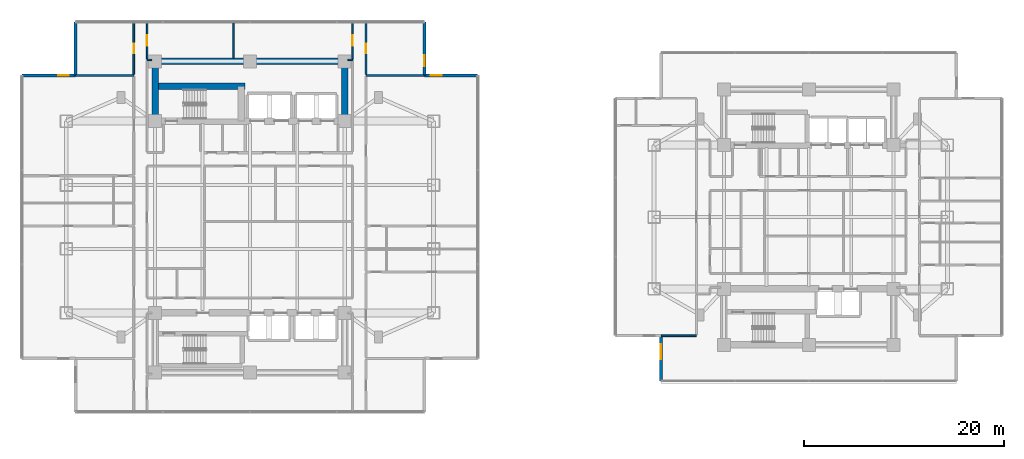
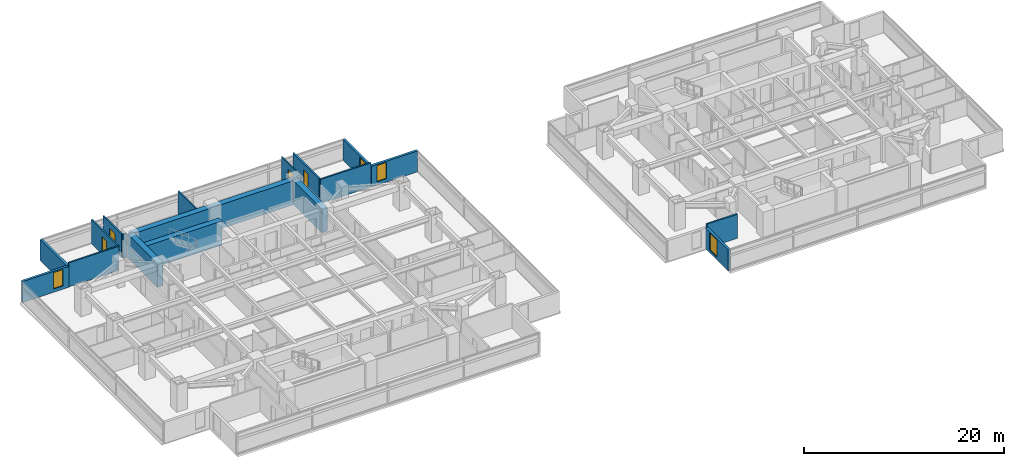
# One storey, part 17 of 26: 19 walls, 4 doors, 4 windows, 8 openings.
"""IFC4 building model written with IfcOpenShell, lengths in metres."""

import ifcopenshell
import ifcopenshell.guid

model = None  # the IFC model being written
_history = None  # IfcOwnerHistory: only IFC2X3 demands one
_inside = {}  # id of a spatial element -> (the spatial element, [elements in it])
_under = {}  # id of a project, library or spatial element -> (it, [spatial elements below it])
_declared = {}  # id of a project -> (the project, [libraries it declares])
_typed = {}  # id of a type object -> (the type object, [elements of that type])
_made_of = {}  # id of a material, layer set ... -> (it, [elements and type objects made of it])


def new_model(schema):
    """Start an empty IFC model of exactly this schema.

    Asked for "IFC4X3", IfcOpenShell would pick the latest addendum, in which some entities
    have other attributes; the version numbers below select the first issue.
    IFC2X3 requires an IfcOwnerHistory on every rooted entity: one is made here for all.
    """
    global model, _history
    if schema == "IFC4X3":
        model = ifcopenshell.file(schema_version=(4, 3, 0, 0))
    else:
        model = ifcopenshell.file(schema=schema)
    _inside.clear()
    _under.clear()
    _declared.clear()
    _typed.clear()
    _made_of.clear()
    _history = None
    if model.schema == "IFC2X3":
        org = make("IfcOrganization", Name="unknown")
        user = make(
            "IfcPersonAndOrganization",
            ThePerson=make("IfcPerson", FamilyName="unknown"),
            TheOrganization=org,
        )
        app = make(
            "IfcApplication",
            ApplicationDeveloper=org,
            Version="unknown",
            ApplicationFullName="unknown",
            ApplicationIdentifier="unknown",
        )
        _history = make(
            "IfcOwnerHistory",
            OwningUser=user,
            OwningApplication=app,
            ChangeAction="ADDED",
            CreationDate=0,
        )
    return model


def make(cls, **values):
    """One entity of the class cls with the attributes given. An attribute that is None is left unset."""
    return model.create_entity(
        cls, **{name: value for name, value in values.items() if value is not None}
    )


def rooted(cls, **values):
    """An entity with a GlobalId (a new one), such as an element, a storey or a relation."""
    return make(cls, GlobalId=ifcopenshell.guid.new(), OwnerHistory=_history, **values)


def si_unit(unit_type, name, prefix=None):
    """IfcSIUnit, for example si_unit("LENGTHUNIT", "METRE", prefix="MILLI")."""
    return make("IfcSIUnit", UnitType=unit_type, Prefix=prefix, Name=name)


def assignment(units):
    """IfcUnitAssignment: the units of a project."""
    return None if units is None else make("IfcUnitAssignment", Units=units)


def point(xyz):
    """IfcCartesianPoint."""
    return None if xyz is None else make("IfcCartesianPoint", Coordinates=xyz)


def direction(xyz):
    """IfcDirection."""
    return None if xyz is None else make("IfcDirection", DirectionRatios=xyz)


def frame(location, z_axis=None, x_axis=None):
    """IfcAxis2Placement3D, a coordinate frame: its origin and axes. An axis left out is left unset."""
    return make(
        "IfcAxis2Placement3D",
        Location=point(location),
        Axis=direction(z_axis),
        RefDirection=direction(x_axis),
    )


def frame_2d(location, x_axis=None):
    """IfcAxis2Placement2D, a coordinate frame in the plane: its origin and x axis."""
    return make(
        "IfcAxis2Placement2D", Location=point(location), RefDirection=direction(x_axis)
    )


def origin():
    """The frame at (0, 0, 0) with its axes left unset."""
    return frame((0.0, 0.0, 0.0))


def place(relative_to, where):
    """IfcLocalPlacement: puts the frame where relative to a parent placement (None: the world)."""
    return make(
        "IfcLocalPlacement", PlacementRelTo=relative_to, RelativePlacement=where
    )


def context(
    kind, dimensions, precision=None, world=None, true_north=None, identifier=None
):
    """IfcGeometricRepresentationContext, for example the 3D "Model" context."""
    return make(
        "IfcGeometricRepresentationContext",
        ContextIdentifier=identifier,
        ContextType=kind,
        CoordinateSpaceDimension=dimensions,
        Precision=precision,
        WorldCoordinateSystem=world,
        TrueNorth=true_north,
    )


def subcontext(parent, identifier, kind, view, scale=None):
    """IfcGeometricRepresentationSubContext, for example "Body" below "Model"."""
    return make(
        "IfcGeometricRepresentationSubContext",
        ContextIdentifier=identifier,
        ContextType=kind,
        ParentContext=parent,
        TargetScale=scale,
        TargetView=view,
    )


def project(units=None, contexts=None):
    """IfcProject with its units and contexts."""
    return rooted(
        "IfcProject",
        Name="project",
        RepresentationContexts=contexts,
        UnitsInContext=assignment(units),
    )


def spatial(cls, under=None, at=None, **own):
    """A site, building, storey or space (cls), placed at a placement, below another one or the project."""
    s = rooted(cls, ObjectPlacement=at, **own)
    if under is not None:
        _under.setdefault(under.id(), (under, []))[1].append(s)
    return s


def profile(cls, at=None, kind="AREA", **sizes):
    """A parametric profile (cls). Its sizes go by their IFC names, for example OverallWidth=200.0."""
    return make(cls, ProfileType=kind, Position=at, **sizes)


def rectangle(**sizes):
    """IfcRectangleProfileDef."""
    return profile("IfcRectangleProfileDef", **sizes)


def extrude(swept, where, along, depth):
    """IfcExtrudedAreaSolid: the profile swept, set in the frame where, extruded along a direction by depth."""
    return make(
        "IfcExtrudedAreaSolid",
        SweptArea=swept,
        Position=where,
        ExtrudedDirection=direction(along),
        Depth=depth,
    )


def shape(context_of_items, identifier, shape_type, items):
    """IfcShapeRepresentation: the items that make up one representation, for example the "Body"."""
    return make(
        "IfcShapeRepresentation",
        ContextOfItems=context_of_items,
        RepresentationIdentifier=identifier,
        RepresentationType=shape_type,
        Items=items,
    )


def material(Name=None, Category=None):
    """IfcMaterial."""
    return make("IfcMaterial", Name=Name, Category=Category)


def layer(
    of_material, thickness, ventilated=None, Name=None, Category=None, Priority=None
):
    """IfcMaterialLayer: one layer of a wall or slab, of a material (None: an air gap)."""
    return make(
        "IfcMaterialLayer",
        Material=of_material,
        LayerThickness=thickness,
        IsVentilated=ventilated,
        Name=Name,
        Category=Category,
        Priority=Priority,
    )


def layer_set(layers, Name=None):
    """IfcMaterialLayerSet."""
    return make("IfcMaterialLayerSet", MaterialLayers=layers, LayerSetName=Name)


def made_of(thing, what):
    """Note that an element or type object is made of a material, layer set ...; save() writes the relation."""
    if what is not None:
        _made_of.setdefault(what.id(), (what, []))[1].append(thing)
    return thing


def type_object(cls, material=None, **own):
    """A type object (cls), such as IfcWallType, which elements share."""
    return made_of(rooted(cls, **own), material)


def element(
    cls,
    number,
    at=None,
    inside=None,
    cuts=None,
    type_object=None,
    material=None,
    context=None,
    identifier="Body",
    shape_type=None,
    held_by="IfcProductDefinitionShape",
    body=None,
    shapes=None,
    **own,
):
    """One element of the class cls, such as IfcWall. Its Tag is "e" and its number.

    at: its placement. inside: the storey or other place that contains it. cuts: it is an
    opening in that element (IfcRelVoidsElement). A single representation is given by context,
    identifier, shape_type and body (its items); several are given by shapes. held_by: the class
    of the entity that holds the representations. save() writes the other relations.
    """
    e = rooted(cls, Tag="e%d" % number, ObjectPlacement=at, **own)
    if body is not None:
        shapes = [shape(context, identifier, shape_type, body)]
    if shapes is not None:
        e.Representation = make(held_by, Representations=shapes)
    if inside is not None:
        _inside.setdefault(inside.id(), (inside, []))[1].append(e)
    if cuts is not None:
        rooted(
            "IfcRelVoidsElement", RelatingBuildingElement=cuts, RelatedOpeningElement=e
        )
    if type_object is not None:
        _typed.setdefault(type_object.id(), (type_object, []))[1].append(e)
    return made_of(e, material)


def fill(opening, filler):
    """IfcRelFillsElement: the door or window that sits in an opening."""
    return rooted(
        "IfcRelFillsElement",
        RelatingOpeningElement=opening,
        RelatedBuildingElement=filler,
    )


def aggregate(whole, parts):
    """IfcRelAggregates: a whole, such as a stair, and the parts it consists of."""
    return rooted("IfcRelAggregates", RelatingObject=whole, RelatedObjects=parts)


def save(model, path):
    """Write the relations noted so far, then the file.

    IfcRelAggregates (storeys below a building ...), IfcRelContainedInSpatialStructure (elements
    in a storey), IfcRelDefinesByType, IfcRelAssociatesMaterial and IfcRelDeclares: one each for
    every whole, place, type object, material and project.
    """
    for whole, parts in _under.values():
        aggregate(whole, parts)
    for where, things in _inside.values():
        rooted(
            "IfcRelContainedInSpatialStructure",
            RelatedElements=things,
            RelatingStructure=where,
        )
    for kind, things in _typed.values():
        rooted("IfcRelDefinesByType", RelatedObjects=things, RelatingType=kind)
    for what, things in _made_of.values():
        rooted("IfcRelAssociatesMaterial", RelatedObjects=things, RelatingMaterial=what)
    for by, libraries in _declared.values():
        rooted("IfcRelDeclares", RelatingContext=by, RelatedDefinitions=libraries)
    model.write(path)


model = new_model("IFC4")

# Units and contexts
model_context = context("Model", 3, precision=1e-05, world=origin(), true_north=direction((0.0, 1.0)))
body_context = subcontext(model_context, "Body", "Model", "MODEL_VIEW")
ifc_project = project(units=[si_unit("LENGTHUNIT", "METRE"), si_unit("AREAUNIT", "SQUARE_METRE"), si_unit("VOLUMEUNIT", "CUBIC_METRE"), si_unit("PLANEANGLEUNIT", "RADIAN"), si_unit("MASSUNIT", "GRAM", prefix="KILO")], contexts=[model_context])

# Site, building, storey
site_placement = place(None, origin())
site = spatial("IfcSite", under=ifc_project, at=site_placement, CompositionType="ELEMENT")
building_placement = place(site_placement, origin())
building = spatial("IfcBuilding", under=site, at=building_placement, Name="Mirazonda Arch Towers", CompositionType="ELEMENT")
storey_placement = place(building_placement, frame((0.0, 0.0, 78.5)))
storey = spatial("IfcBuildingStorey", under=building, at=storey_placement, Name="L22", CompositionType="ELEMENT", Elevation=78.5)

# Walls
ifc_material_1 = material(Name="Concrete C60/75", Category="concrete")
ifc_layer_1 = layer(ifc_material_1, 0.64990234375, Name="WALL-CORE-650")
ifc_layer_set_1 = layer_set([ifc_layer_1], Name="Concrete C60/75")
wall_type_1 = type_object("IfcWallType", Name="WALL-CORE-650", PredefinedType="SHEAR", material=ifc_layer_set_1)
wall_1_placement = place(storey_placement, frame((11.0, 43.60009765625, 0.0), z_axis=(0.0, 0.0, 1.0), x_axis=(1.0, 0.0, 0.0)))
element("IfcWall", 1, at=wall_1_placement, inside=storey, type_object=wall_type_1, Name="L22 T1N-N Core Shear Wall", PredefinedType="SHEAR", context=body_context, shape_type="SweptSolid", body=[
    extrude(rectangle(XDim=19.0, YDim=0.64990234375, at=frame_2d((9.5, 0.0))), origin(), (0.0, 0.0, 1.0), 2.93994140625),
])
for number, where, z_axis, x_axis, name in (
    (2, (11.0, 37.60009765625, 0.0), (0.0, 0.0, 1.0), (0.0, 1.0, 0.0), "L22 T1N-W Core Shear Wall"),
    (3, (30.0, 37.60009765625, 0.0), (0.0, 0.0, 1.0), (0.0, 1.0, 0.0), "L22 T1N-E Core Shear Wall"),
):
    element("IfcWall", number, at=place(storey_placement, frame(where, z_axis=z_axis, x_axis=x_axis)), inside=storey, type_object=wall_type_1, Name=name, PredefinedType="SHEAR", context=body_context, shape_type="SweptSolid", body=[
        extrude(rectangle(XDim=6.0, YDim=0.64990234375, at=frame_2d((3.0, 0.0))), origin(), (0.0, 0.0, 1.0), 2.93994140625),
    ])
wall_2_placement = place(storey_placement, frame((11.0, 41.093017578125, 0.0), z_axis=(0.0, 0.0, 1.0), x_axis=(1.0, 0.0, 0.0)))
element("IfcWall", 4, at=wall_2_placement, inside=storey, type_object=wall_type_1, Name="L22 T1N-STN Core Shear Wall", PredefinedType="SHEAR", context=body_context, shape_type="SweptSolid", body=[
    extrude(rectangle(XDim=9.0, YDim=0.64990234375, at=frame_2d((4.5, 0.0))), origin(), (0.0, 0.0, 1.0), 2.93994140625),
])

# Wall, opening, window
ifc_material_2 = material(Name="Precast Concrete C40/50", Category="concrete")
ifc_layer_2 = layer(ifc_material_2, 0.280029296875, Name="WALL-EXT-WALL-280")
ifc_layer_set_2 = layer_set([ifc_layer_2], Name="Precast Concrete C40/50")
wall_type_2 = type_object("IfcWallType", Name="WALL-EXT-WALL-280", PredefinedType="SOLIDWALL", material=ifc_layer_set_2)
wall_3_placement = place(storey_placement, frame((37.97998046875, 42.18408203125, 0.0), z_axis=(0.0, 0.0, 1.0), x_axis=(0.0, 1.0, 0.0)))
wall_3 = element("IfcWall", 5, at=wall_3_placement, inside=storey, type_object=wall_type_2, Name="L22 T1 Notched NE Corner Wall WL-L22-T1-CNE", PredefinedType="SOLIDWALL", context=body_context, shape_type="SweptSolid", body=[
    extrude(rectangle(XDim=5.33984375, YDim=0.280029296875, at=frame_2d((2.669921875, 0.0))), origin(), (0.0, 0.0, 1.0), 2.56005859375),
])
opening_1_placement = place(wall_3_placement, frame((0.949951171875, 0.0, 0.409912109375)))
opening_1 = element("IfcOpeningElement", 6, at=opening_1_placement, cuts=wall_3, Name="Opening WN-108", PredefinedType="OPENING", context=body_context, shape_type="SweptSolid", body=[
    extrude(rectangle(XDim=1.10009765625, YDim=2.0, at=frame_2d((0.550048828125, 1.0))), frame((0.0, 0.14990234375, 0.0), z_axis=(0.0, -1.0, 0.0), x_axis=(1.0, 0.0, 0.0)), (0.0, 0.0, 1.0), 0.300048828125),
])
ifc_material_3 = material(Name="Insulated Low-E Solar Glass", Category="glass")
window_type_1 = type_object("IfcWindowType", Name="WIN-NOTCH-1100x2000", PartitioningType="SINGLE_PANEL", PredefinedType="WINDOW", material=ifc_material_3)
window_1_placement = place(opening_1_placement, origin())
window_1 = element("IfcWindow", 7, at=window_1_placement, inside=storey, type_object=window_type_1, Name="L22 Punched Facade Window WN-L22-T1-CNE", OverallHeight=2.0, OverallWidth=1.10009765625, PartitioningType="SINGLE_PANEL", PredefinedType="WINDOW", context=body_context, shape_type="SweptSolid", body=[
    extrude(rectangle(XDim=1.10009765625, YDim=2.0, at=frame_2d((0.550048828125, 1.0))), frame((0.0, 0.030029296875, 0.0), z_axis=(0.0, -1.0, 0.0), x_axis=(1.0, 0.0, 0.0)), (0.0, 0.0, 1.0), 0.06005859375),
])
fill(opening_1, window_1)

wall_4_placement = place(storey_placement, frame((3.02001953125, 42.18408203125, 0.0), z_axis=(0.0, 0.0, 1.0), x_axis=(-1.0, 0.0, 0.0)))
wall_4 = element("IfcWall", 8, at=wall_4_placement, inside=storey, type_object=wall_type_2, Name="L22 T1 Corner Notch Return Wall WL-L22-T1-CNW1", PredefinedType="SOLIDWALL", context=body_context, shape_type="SweptSolid", body=[
    extrude(rectangle(XDim=5.340087890625, YDim=0.280029296875, at=frame_2d((2.669921875, 0.0))), origin(), (0.0, 0.0, 1.0), 2.56005859375),
])
opening_2_placement = place(wall_4_placement, frame((0.64990234375, 0.0, 0.409912109375)))
opening_2 = element("IfcOpeningElement", 9, at=opening_2_placement, cuts=wall_4, Name="Opening WN-108", PredefinedType="OPENING", context=body_context, shape_type="SweptSolid", body=[
    extrude(rectangle(XDim=1.10009765625, YDim=2.0, at=frame_2d((0.550048828125, 1.0))), frame((0.0, 0.14990234375, 0.0), z_axis=(0.0, -1.0, 0.0), x_axis=(1.0, 0.0, 0.0)), (0.0, 0.0, 1.0), 0.300048828125),
])
window_2_placement = place(opening_2_placement, origin())
window_2 = element("IfcWindow", 10, at=window_2_placement, inside=storey, type_object=window_type_1, Name="L22 Punched Facade Window WN-L22-T1-CNW1", OverallHeight=2.0, OverallWidth=1.10009765625, PartitioningType="SINGLE_PANEL", PredefinedType="WINDOW", context=body_context, shape_type="SweptSolid", body=[
    extrude(rectangle(XDim=1.10009765625, YDim=2.0, at=frame_2d((0.550048828125, 1.0))), frame((0.0, 0.030029296875, 0.0), z_axis=(0.0, -1.0, 0.0), x_axis=(1.0, 0.0, 0.0)), (0.0, 0.0, 1.0), 0.06005859375),
])
fill(opening_2, window_2)

# Wall
wall_5_placement = place(storey_placement, frame((3.02001953125, 47.52392578125, 0.0), z_axis=(0.0, 0.0, 1.0), x_axis=(0.0, -1.0, 0.0)))
element("IfcWall", 11, at=wall_5_placement, inside=storey, type_object=wall_type_2, Name="L22 T1 Corner Notch Return Wall WL-L22-T1-CNW2", PredefinedType="SOLIDWALL", context=body_context, shape_type="SweptSolid", body=[
    extrude(rectangle(XDim=5.33984375, YDim=0.280029296875, at=frame_2d((2.669921875, 0.0))), origin(), (0.0, 0.0, 1.0), 2.56005859375),
])

# Wall, opening, window
wall_6_placement = place(storey_placement, frame((43.320068359375, 42.18408203125, 0.0), z_axis=(0.0, 0.0, 1.0), x_axis=(-1.0, 0.0, 0.0)))
wall_6 = element("IfcWall", 12, at=wall_6_placement, inside=storey, type_object=wall_type_2, Name="L22 T1 Corner Notch Return Wall WL-L22-T1-CNE2", PredefinedType="SOLIDWALL", context=body_context, shape_type="SweptSolid", body=[
    extrude(rectangle(XDim=5.340087890625, YDim=0.280029296875, at=frame_2d((2.669921875, 0.0))), origin(), (0.0, 0.0, 1.0), 2.56005859375),
])
opening_3_placement = place(wall_6_placement, frame((3.590087890625, 0.0, 0.409912109375)))
opening_3 = element("IfcOpeningElement", 13, at=opening_3_placement, cuts=wall_6, Name="Opening WN-108", PredefinedType="OPENING", context=body_context, shape_type="SweptSolid", body=[
    extrude(rectangle(XDim=1.10009765625, YDim=2.0, at=frame_2d((0.550048828125, 1.0))), frame((0.0, 0.14990234375, 0.0), z_axis=(0.0, -1.0, 0.0), x_axis=(1.0, 0.0, 0.0)), (0.0, 0.0, 1.0), 0.300048828125),
])
window_3_placement = place(opening_3_placement, origin())
window_3 = element("IfcWindow", 14, at=window_3_placement, inside=storey, type_object=window_type_1, Name="L22 Punched Facade Window WN-L22-T1-CNE2", OverallHeight=2.0, OverallWidth=1.10009765625, PartitioningType="SINGLE_PANEL", PredefinedType="WINDOW", context=body_context, shape_type="SweptSolid", body=[
    extrude(rectangle(XDim=1.10009765625, YDim=2.0, at=frame_2d((0.550048828125, 1.0))), frame((0.0, 0.030029296875, 0.0), z_axis=(0.0, -1.0, 0.0), x_axis=(1.0, 0.0, 0.0)), (0.0, 0.0, 1.0), 0.06005859375),
])
fill(opening_3, window_3)

wall_7_placement = place(storey_placement, frame((61.701904296875, 16.103515625, 0.0), z_axis=(0.0, 0.0, 1.0), x_axis=(0.0, -1.0, 0.0)))
wall_7 = element("IfcWall", 15, at=wall_7_placement, inside=storey, type_object=wall_type_2, Name="L22 T2 Notched SW Corner Wall WL-L22-T2-CSW", PredefinedType="SOLIDWALL", context=body_context, shape_type="SweptSolid", body=[
    extrude(rectangle(XDim=4.5458984375, YDim=0.280029296875, at=frame_2d((2.27294921875, 0.0))), origin(), (0.0, 0.0, 1.0), 2.56005859375),
])
opening_4_placement = place(wall_7_placement, frame((0.85009765625, 0.0, 0.31005859375)))
opening_4 = element("IfcOpeningElement", 16, at=opening_4_placement, cuts=wall_7, Name="Opening WN-120", PredefinedType="OPENING", context=body_context, shape_type="SweptSolid", body=[
    extrude(rectangle(XDim=1.5, YDim=2.10009765625, at=frame_2d((0.75, 1.050048828125))), frame((0.0, 0.14990234375, 0.0), z_axis=(0.0, -1.0, 0.0), x_axis=(1.0, 0.0, 0.0)), (0.0, 0.0, 1.0), 0.300048828125),
])
window_type_2 = type_object("IfcWindowType", Name="WIN-HTL-1500x2100", PartitioningType="SINGLE_PANEL", PredefinedType="WINDOW", material=ifc_material_3)
window_4_placement = place(opening_4_placement, origin())
window_4 = element("IfcWindow", 17, at=window_4_placement, inside=storey, type_object=window_type_2, Name="L22 Punched Facade Window WN-L22-T2-CSW", OverallHeight=2.10009765625, OverallWidth=1.5, PartitioningType="SINGLE_PANEL", PredefinedType="WINDOW", context=body_context, shape_type="SweptSolid", body=[
    extrude(rectangle(XDim=1.5, YDim=2.10009765625, at=frame_2d((0.75, 1.050048828125))), frame((0.0, 0.030029296875, 0.0), z_axis=(0.0, -1.0, 0.0), x_axis=(1.0, 0.0, 0.0)), (0.0, 0.0, 1.0), 0.06005859375),
])
fill(opening_4, window_4)

# Walls
ifc_material_4 = material(Name="Fire-Rated Gypsum Stud Partition")
ifc_layer_3 = layer(ifc_material_4, 0.14990234375, Name="WALL-PART-CORR-150")
ifc_layer_set_3 = layer_set([ifc_layer_3], Name="Fire-Rated Gypsum Stud Partition")
wall_type_3 = type_object("IfcWallType", Name="WALL-PART-CORR-150", PredefinedType="PARTITIONING", material=ifc_layer_set_3)
for number, where, z_axis, x_axis, name in (
    (18, (10.199951171875, 43.75, 0.0), (0.0, 0.0, 1.0), (1.0, 0.0, 0.0), "L22 Interior Partition 055"),
    (19, (30.320068359375, 43.75, 0.0), (0.0, 0.0, 1.0), (1.0, 0.0, 0.0), "L22 Interior Partition 056"),
):
    element("IfcWall", number, at=place(storey_placement, frame(where, z_axis=z_axis, x_axis=x_axis)), inside=storey, type_object=wall_type_3, Name=name, PredefinedType="PARTITIONING", context=body_context, shape_type="SweptSolid", body=[
        extrude(rectangle(XDim=0.47998046875, YDim=0.14990234375, at=frame_2d((0.239990234375, 0.0))), origin(), (0.0, 0.0, 1.0), 2.93994140625),
    ])

# Wall, opening, door
wall_8_placement = place(storey_placement, frame((10.199951171875, 43.8349609375, 0.0), z_axis=(0.0, 0.0, 1.0), x_axis=(0.0, 1.0, 0.0)))
wall_8 = element("IfcWall", 20, at=wall_8_placement, inside=storey, type_object=wall_type_3, Name="L22 Interior Partition 070", PredefinedType="PARTITIONING", context=body_context, shape_type="SweptSolid", body=[
    extrude(rectangle(XDim=3.68896484375, YDim=0.14990234375, at=frame_2d((1.844482421875, 0.0))), origin(), (0.0, 0.0, 1.0), 2.93994140625),
])
opening_5_placement = place(wall_8_placement, frame((1.319580078125, 0.0, 0.0)))
opening_5 = element("IfcOpeningElement", 21, at=opening_5_placement, cuts=wall_8, Name="Opening DR-121", PredefinedType="OPENING", context=body_context, shape_type="SweptSolid", body=[
    extrude(rectangle(XDim=1.050048828125, YDim=2.199951171875, at=frame_2d((0.52490234375, 1.10009765625))), frame((0.0, 0.0849609375, 0.0), z_axis=(0.0, -1.0, 0.0), x_axis=(1.0, 0.0, 0.0)), (0.0, 0.0, 1.0), 0.169921875),
])
ifc_material_5 = material(Name="Architectural Brushed Steel S355", Category="steel")
door_type_1 = type_object("IfcDoorType", Name="DOOR-SUITE-FD60-1050", OperationType="NOTDEFINED", PredefinedType="DOOR", material=ifc_material_5)
door_1_placement = place(opening_5_placement, origin())
door_1 = element("IfcDoor", 22, at=door_1_placement, inside=storey, type_object=door_type_1, Name="L22 North Reading Salon West Door", OperationType="SINGLE_SWING_LEFT", OverallHeight=2.199951171875, OverallWidth=1.050048828125, PredefinedType="DOOR", context=body_context, shape_type="SweptSolid", body=[
    extrude(rectangle(XDim=1.050048828125, YDim=2.199951171875, at=frame_2d((0.52490234375, 1.10009765625))), frame((0.0, 0.02490234375, 0.0), z_axis=(0.0, -1.0, 0.0), x_axis=(1.0, 0.0, 0.0)), (0.0, 0.0, 1.0), 0.050048828125),
])
fill(opening_5, door_1)

# Wall
wall_9_placement = place(storey_placement, frame((18.85205078125, 43.919921875, 0.0), z_axis=(0.0, 0.0, 1.0), x_axis=(0.0, 1.0, 0.0)))
element("IfcWall", 23, at=wall_9_placement, inside=storey, type_object=wall_type_3, Name="L22 Interior Partition 078", PredefinedType="PARTITIONING", context=body_context, shape_type="SweptSolid", body=[
    extrude(rectangle(XDim=3.60400390625, YDim=0.14990234375, at=frame_2d((1.802001953125, 0.0))), origin(), (0.0, 0.0, 1.0), 2.93994140625),
])

# Wall, opening, door
wall_10_placement = place(storey_placement, frame((30.800048828125, 43.8349609375, 0.0), z_axis=(0.0, 0.0, 1.0), x_axis=(0.0, 1.0, 0.0)))
wall_10 = element("IfcWall", 24, at=wall_10_placement, inside=storey, type_object=wall_type_3, Name="L22 Interior Partition 098", PredefinedType="PARTITIONING", context=body_context, shape_type="SweptSolid", body=[
    extrude(rectangle(XDim=3.68896484375, YDim=0.14990234375, at=frame_2d((1.844482421875, 0.0))), origin(), (0.0, 0.0, 1.0), 2.93994140625),
])
opening_6_placement = place(wall_10_placement, frame((1.319580078125, 0.0, 0.0)))
opening_6 = element("IfcOpeningElement", 25, at=opening_6_placement, cuts=wall_10, Name="Opening DR-121", PredefinedType="OPENING", context=body_context, shape_type="SweptSolid", body=[
    extrude(rectangle(XDim=1.050048828125, YDim=2.199951171875, at=frame_2d((0.52490234375, 1.10009765625))), frame((0.0, 0.0849609375, 0.0), z_axis=(0.0, -1.0, 0.0), x_axis=(1.0, 0.0, 0.0)), (0.0, 0.0, 1.0), 0.169921875),
])
door_2_placement = place(opening_6_placement, origin())
door_2 = element("IfcDoor", 26, at=door_2_placement, inside=storey, type_object=door_type_1, Name="L22 North Reading Salon East Door", OperationType="SINGLE_SWING_RIGHT", OverallHeight=2.199951171875, OverallWidth=1.050048828125, PredefinedType="DOOR", context=body_context, shape_type="SweptSolid", body=[
    extrude(rectangle(XDim=1.050048828125, YDim=2.199951171875, at=frame_2d((0.52490234375, 1.10009765625))), frame((0.0, 0.02490234375, 0.0), z_axis=(0.0, -1.0, 0.0), x_axis=(1.0, 0.0, 0.0)), (0.0, 0.0, 1.0), 0.050048828125),
])
fill(opening_6, door_2)

# Walls
ifc_material_6 = material(Name="Fire-Rated Gypsum Twin-Stud Assembly")
ifc_layer_4 = layer(ifc_material_6, 0.179931640625, Name="WALL-PART-DEMISE-180")
ifc_layer_set_4 = layer_set([ifc_layer_4], Name="Fire-Rated Gypsum Twin-Stud Assembly")
wall_type_4 = type_object("IfcWallType", Name="WALL-PART-DEMISE-180", PredefinedType="PARTITIONING", material=ifc_layer_set_4)
wall_11_placement = place(storey_placement, frame((61.721923828125, 16.10400390625, 0.0), z_axis=(0.0, 0.0, 1.0), x_axis=(1.0, 0.0, 0.0)))
element("IfcWall", 27, at=wall_11_placement, inside=storey, type_object=wall_type_4, Name="L22 Interior Partition 008", PredefinedType="PARTITIONING", context=body_context, shape_type="SweptSolid", body=[
    extrude(rectangle(XDim=3.528076171875, YDim=0.179931640625, at=frame_2d((1.76416015625, 0.0))), origin(), (0.0, 0.0, 1.0), 2.93994140625),
])
for number, where, z_axis, x_axis, name in (
    (28, (3.0400390625, 42.18408203125, 0.0), (0.0, 0.0, 1.0), (1.0, 0.0, 0.0), "L22 Interior Partition 053"),
    (29, (32.139892578125, 42.18408203125, 0.0), (0.0, 0.0, 1.0), (1.0, 0.0, 0.0), "L22 Interior Partition 054"),
):
    element("IfcWall", number, at=place(storey_placement, frame(where, z_axis=z_axis, x_axis=x_axis)), inside=storey, type_object=wall_type_4, Name=name, PredefinedType="PARTITIONING", context=body_context, shape_type="SweptSolid", body=[
        extrude(rectangle(XDim=5.820068359375, YDim=0.179931640625, at=frame_2d((2.91015625, 0.0))), origin(), (0.0, 0.0, 1.0), 2.93994140625),
    ])

# Wall, opening, door
wall_12_placement = place(storey_placement, frame((8.860107421875, 42.283935546875, 0.0), z_axis=(0.0, 0.0, 1.0), x_axis=(0.0, 1.0, 0.0)))
wall_12 = element("IfcWall", 30, at=wall_12_placement, inside=storey, type_object=wall_type_4, Name="L22 Interior Partition 064", PredefinedType="PARTITIONING", context=body_context, shape_type="SweptSolid", body=[
    extrude(rectangle(XDim=5.239990234375, YDim=0.179931640625, at=frame_2d((2.6201171875, 0.0))), origin(), (0.0, 0.0, 1.0), 2.93994140625),
])
opening_7_placement = place(wall_12_placement, frame((2.14501953125, 0.0, 0.0)))
opening_7 = element("IfcOpeningElement", 31, at=opening_7_placement, cuts=wall_12, Name="Opening DR-104", PredefinedType="OPENING", context=body_context, shape_type="SweptSolid", body=[
    extrude(rectangle(XDim=0.949951171875, YDim=2.14990234375, at=frame_2d((0.47509765625, 1.074951171875))), frame((0.0, 0.099853515625, 0.0), z_axis=(0.0, -1.0, 0.0), x_axis=(1.0, 0.0, 0.0)), (0.0, 0.0, 1.0), 0.199951171875),
])
door_type_2 = type_object("IfcDoorType", Name="DOOR-ROOM-950", OperationType="NOTDEFINED", PredefinedType="DOOR", material=ifc_material_5)
door_3_placement = place(opening_7_placement, origin())
door_3 = element("IfcDoor", 32, at=door_3_placement, inside=storey, type_object=door_type_2, Name="L22 North Reading Salon Alcove West Door", OperationType="SINGLE_SWING_LEFT", OverallHeight=2.14990234375, OverallWidth=0.949951171875, PredefinedType="DOOR", context=body_context, shape_type="SweptSolid", body=[
    extrude(rectangle(XDim=0.949951171875, YDim=2.14990234375, at=frame_2d((0.47509765625, 1.074951171875))), frame((0.0, 0.02490234375, 0.0), z_axis=(0.0, -1.0, 0.0), x_axis=(1.0, 0.0, 0.0)), (0.0, 0.0, 1.0), 0.050048828125),
])
fill(opening_7, door_3)

wall_13_placement = place(storey_placement, frame((32.139892578125, 42.283935546875, 0.0), z_axis=(0.0, 0.0, 1.0), x_axis=(0.0, 1.0, 0.0)))
wall_13 = element("IfcWall", 33, at=wall_13_placement, inside=storey, type_object=wall_type_4, Name="L22 Interior Partition 104", PredefinedType="PARTITIONING", context=body_context, shape_type="SweptSolid", body=[
    extrude(rectangle(XDim=5.239990234375, YDim=0.179931640625, at=frame_2d((2.6201171875, 0.0))), origin(), (0.0, 0.0, 1.0), 2.93994140625),
])
opening_8_placement = place(wall_13_placement, frame((2.14501953125, 0.0, 0.0)))
opening_8 = element("IfcOpeningElement", 34, at=opening_8_placement, cuts=wall_13, Name="Opening DR-104", PredefinedType="OPENING", context=body_context, shape_type="SweptSolid", body=[
    extrude(rectangle(XDim=0.949951171875, YDim=2.14990234375, at=frame_2d((0.47509765625, 1.074951171875))), frame((0.0, 0.099853515625, 0.0), z_axis=(0.0, -1.0, 0.0), x_axis=(1.0, 0.0, 0.0)), (0.0, 0.0, 1.0), 0.199951171875),
])
door_4_placement = place(opening_8_placement, origin())
door_4 = element("IfcDoor", 35, at=door_4_placement, inside=storey, type_object=door_type_2, Name="L22 North Reading Salon Alcove East Door", OperationType="SINGLE_SWING_RIGHT", OverallHeight=2.14990234375, OverallWidth=0.949951171875, PredefinedType="DOOR", context=body_context, shape_type="SweptSolid", body=[
    extrude(rectangle(XDim=0.949951171875, YDim=2.14990234375, at=frame_2d((0.47509765625, 1.074951171875))), frame((0.0, 0.02490234375, 0.0), z_axis=(0.0, -1.0, 0.0), x_axis=(1.0, 0.0, 0.0)), (0.0, 0.0, 1.0), 0.050048828125),
])
fill(opening_8, door_4)

save(model, "model.ifc")
